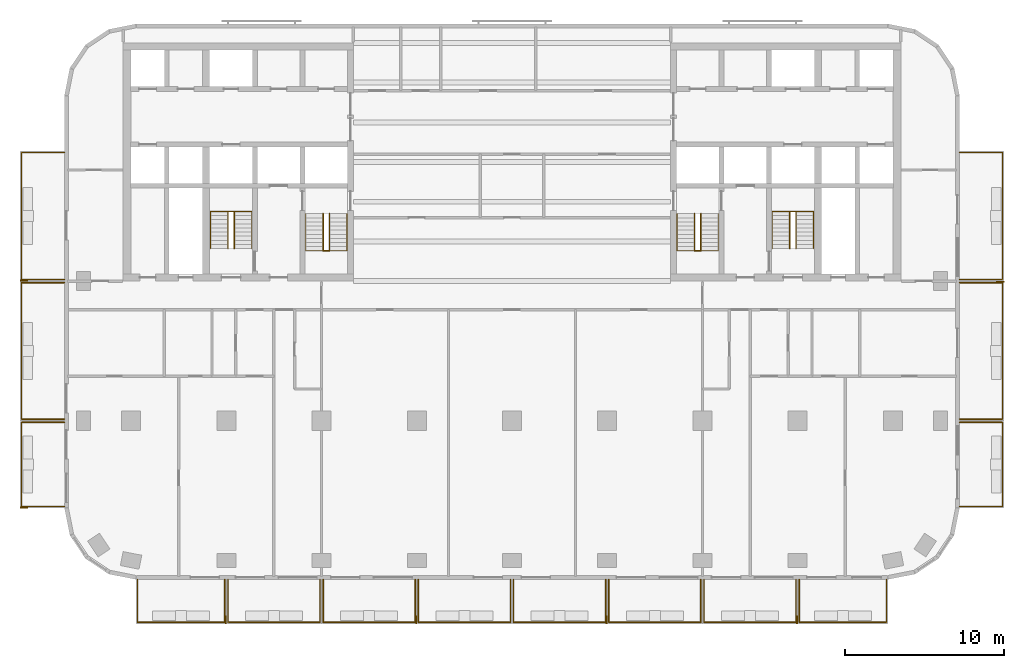
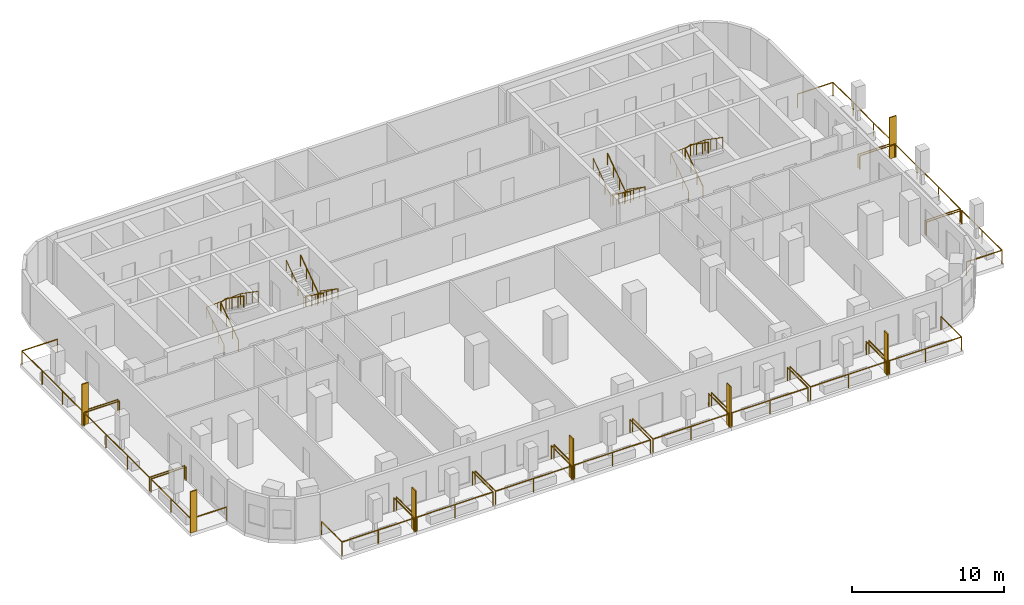
# One storey, part 9 of 11: 22 railings, 7 shading devices.
"""IFC4 building model written with IfcOpenShell, lengths in metres."""

import ifcopenshell
import ifcopenshell.guid

model = None  # the IFC model being written
_history = None  # IfcOwnerHistory: only IFC2X3 demands one
_inside = {}  # id of a spatial element -> (the spatial element, [elements in it])
_under = {}  # id of a project, library or spatial element -> (it, [spatial elements below it])
_declared = {}  # id of a project -> (the project, [libraries it declares])
_typed = {}  # id of a type object -> (the type object, [elements of that type])
_made_of = {}  # id of a material, layer set ... -> (it, [elements and type objects made of it])


def new_model(schema):
    """Start an empty IFC model of exactly this schema.

    Asked for "IFC4X3", IfcOpenShell would pick the latest addendum, in which some entities
    have other attributes; the version numbers below select the first issue.
    IFC2X3 requires an IfcOwnerHistory on every rooted entity: one is made here for all.
    """
    global model, _history
    if schema == "IFC4X3":
        model = ifcopenshell.file(schema_version=(4, 3, 0, 0))
    else:
        model = ifcopenshell.file(schema=schema)
    _inside.clear()
    _under.clear()
    _declared.clear()
    _typed.clear()
    _made_of.clear()
    _history = None
    if model.schema == "IFC2X3":
        org = make("IfcOrganization", Name="unknown")
        user = make(
            "IfcPersonAndOrganization",
            ThePerson=make("IfcPerson", FamilyName="unknown"),
            TheOrganization=org,
        )
        app = make(
            "IfcApplication",
            ApplicationDeveloper=org,
            Version="unknown",
            ApplicationFullName="unknown",
            ApplicationIdentifier="unknown",
        )
        _history = make(
            "IfcOwnerHistory",
            OwningUser=user,
            OwningApplication=app,
            ChangeAction="ADDED",
            CreationDate=0,
        )
    return model


def make(cls, **values):
    """One entity of the class cls with the attributes given. An attribute that is None is left unset."""
    return model.create_entity(
        cls, **{name: value for name, value in values.items() if value is not None}
    )


def rooted(cls, **values):
    """An entity with a GlobalId (a new one), such as an element, a storey or a relation."""
    return make(cls, GlobalId=ifcopenshell.guid.new(), OwnerHistory=_history, **values)


def si_unit(unit_type, name, prefix=None):
    """IfcSIUnit, for example si_unit("LENGTHUNIT", "METRE", prefix="MILLI")."""
    return make("IfcSIUnit", UnitType=unit_type, Prefix=prefix, Name=name)


def assignment(units):
    """IfcUnitAssignment: the units of a project."""
    return None if units is None else make("IfcUnitAssignment", Units=units)


def point(xyz):
    """IfcCartesianPoint."""
    return None if xyz is None else make("IfcCartesianPoint", Coordinates=xyz)


def direction(xyz):
    """IfcDirection."""
    return None if xyz is None else make("IfcDirection", DirectionRatios=xyz)


def frame(location, z_axis=None, x_axis=None):
    """IfcAxis2Placement3D, a coordinate frame: its origin and axes. An axis left out is left unset."""
    return make(
        "IfcAxis2Placement3D",
        Location=point(location),
        Axis=direction(z_axis),
        RefDirection=direction(x_axis),
    )


def frame_2d(location, x_axis=None):
    """IfcAxis2Placement2D, a coordinate frame in the plane: its origin and x axis."""
    return make(
        "IfcAxis2Placement2D", Location=point(location), RefDirection=direction(x_axis)
    )


def origin():
    """The frame at (0, 0, 0) with its axes left unset."""
    return frame((0.0, 0.0, 0.0))


def origin_2d():
    """The frame at (0, 0) in the plane with its x axis left unset."""
    return frame_2d((0.0, 0.0))


def place(relative_to, where):
    """IfcLocalPlacement: puts the frame where relative to a parent placement (None: the world)."""
    return make(
        "IfcLocalPlacement", PlacementRelTo=relative_to, RelativePlacement=where
    )


def context(
    kind, dimensions, precision=None, world=None, true_north=None, identifier=None
):
    """IfcGeometricRepresentationContext, for example the 3D "Model" context."""
    return make(
        "IfcGeometricRepresentationContext",
        ContextIdentifier=identifier,
        ContextType=kind,
        CoordinateSpaceDimension=dimensions,
        Precision=precision,
        WorldCoordinateSystem=world,
        TrueNorth=true_north,
    )


def subcontext(parent, identifier, kind, view, scale=None):
    """IfcGeometricRepresentationSubContext, for example "Body" below "Model"."""
    return make(
        "IfcGeometricRepresentationSubContext",
        ContextIdentifier=identifier,
        ContextType=kind,
        ParentContext=parent,
        TargetScale=scale,
        TargetView=view,
    )


def project(units=None, contexts=None):
    """IfcProject with its units and contexts."""
    return rooted(
        "IfcProject",
        Name="project",
        RepresentationContexts=contexts,
        UnitsInContext=assignment(units),
    )


def spatial(cls, under=None, at=None, **own):
    """A site, building, storey or space (cls), placed at a placement, below another one or the project."""
    s = rooted(cls, ObjectPlacement=at, **own)
    if under is not None:
        _under.setdefault(under.id(), (under, []))[1].append(s)
    return s


def profile(cls, at=None, kind="AREA", **sizes):
    """A parametric profile (cls). Its sizes go by their IFC names, for example OverallWidth=200.0."""
    return make(cls, ProfileType=kind, Position=at, **sizes)


def rectangle(**sizes):
    """IfcRectangleProfileDef."""
    return profile("IfcRectangleProfileDef", **sizes)


def circle(**sizes):
    """IfcCircleProfileDef."""
    return profile("IfcCircleProfileDef", **sizes)


def extrude(swept, where, along, depth):
    """IfcExtrudedAreaSolid: the profile swept, set in the frame where, extruded along a direction by depth."""
    return make(
        "IfcExtrudedAreaSolid",
        SweptArea=swept,
        Position=where,
        ExtrudedDirection=direction(along),
        Depth=depth,
    )


def shape(context_of_items, identifier, shape_type, items):
    """IfcShapeRepresentation: the items that make up one representation, for example the "Body"."""
    return make(
        "IfcShapeRepresentation",
        ContextOfItems=context_of_items,
        RepresentationIdentifier=identifier,
        RepresentationType=shape_type,
        Items=items,
    )


def material(Name=None, Category=None):
    """IfcMaterial."""
    return make("IfcMaterial", Name=Name, Category=Category)


def layer(
    of_material, thickness, ventilated=None, Name=None, Category=None, Priority=None
):
    """IfcMaterialLayer: one layer of a wall or slab, of a material (None: an air gap)."""
    return make(
        "IfcMaterialLayer",
        Material=of_material,
        LayerThickness=thickness,
        IsVentilated=ventilated,
        Name=Name,
        Category=Category,
        Priority=Priority,
    )


def layer_set(layers, Name=None):
    """IfcMaterialLayerSet."""
    return make("IfcMaterialLayerSet", MaterialLayers=layers, LayerSetName=Name)


def made_of(thing, what):
    """Note that an element or type object is made of a material, layer set ...; save() writes the relation."""
    if what is not None:
        _made_of.setdefault(what.id(), (what, []))[1].append(thing)
    return thing


def type_object(cls, material=None, **own):
    """A type object (cls), such as IfcWallType, which elements share."""
    return made_of(rooted(cls, **own), material)


def element(
    cls,
    number,
    at=None,
    inside=None,
    cuts=None,
    type_object=None,
    material=None,
    context=None,
    identifier="Body",
    shape_type=None,
    held_by="IfcProductDefinitionShape",
    body=None,
    shapes=None,
    **own,
):
    """One element of the class cls, such as IfcWall. Its Tag is "e" and its number.

    at: its placement. inside: the storey or other place that contains it. cuts: it is an
    opening in that element (IfcRelVoidsElement). A single representation is given by context,
    identifier, shape_type and body (its items); several are given by shapes. held_by: the class
    of the entity that holds the representations. save() writes the other relations.
    """
    e = rooted(cls, Tag="e%d" % number, ObjectPlacement=at, **own)
    if body is not None:
        shapes = [shape(context, identifier, shape_type, body)]
    if shapes is not None:
        e.Representation = make(held_by, Representations=shapes)
    if inside is not None:
        _inside.setdefault(inside.id(), (inside, []))[1].append(e)
    if cuts is not None:
        rooted(
            "IfcRelVoidsElement", RelatingBuildingElement=cuts, RelatedOpeningElement=e
        )
    if type_object is not None:
        _typed.setdefault(type_object.id(), (type_object, []))[1].append(e)
    return made_of(e, material)


def aggregate(whole, parts):
    """IfcRelAggregates: a whole, such as a stair, and the parts it consists of."""
    return rooted("IfcRelAggregates", RelatingObject=whole, RelatedObjects=parts)


def save(model, path):
    """Write the relations noted so far, then the file.

    IfcRelAggregates (storeys below a building ...), IfcRelContainedInSpatialStructure (elements
    in a storey), IfcRelDefinesByType, IfcRelAssociatesMaterial and IfcRelDeclares: one each for
    every whole, place, type object, material and project.
    """
    for whole, parts in _under.values():
        aggregate(whole, parts)
    for where, things in _inside.values():
        rooted(
            "IfcRelContainedInSpatialStructure",
            RelatedElements=things,
            RelatingStructure=where,
        )
    for kind, things in _typed.values():
        rooted("IfcRelDefinesByType", RelatedObjects=things, RelatingType=kind)
    for what, things in _made_of.values():
        rooted("IfcRelAssociatesMaterial", RelatedObjects=things, RelatingMaterial=what)
    for by, libraries in _declared.values():
        rooted("IfcRelDeclares", RelatingContext=by, RelatedDefinitions=libraries)
    model.write(path)


model = new_model("IFC4")

# Units and contexts
model_context = context("Model", 3, precision=1e-05, world=origin(), true_north=direction((0.0, 1.0)))
body_context = subcontext(model_context, "Body", "Model", "MODEL_VIEW")
ifc_project = project(units=[si_unit("LENGTHUNIT", "METRE"), si_unit("AREAUNIT", "SQUARE_METRE"), si_unit("VOLUMEUNIT", "CUBIC_METRE"), si_unit("PLANEANGLEUNIT", "RADIAN"), si_unit("MASSUNIT", "GRAM", prefix="KILO")], contexts=[model_context])

# Site, building, storey
site_placement = place(None, origin())
site = spatial("IfcSite", under=ifc_project, at=site_placement, CompositionType="ELEMENT")
building_placement = place(site_placement, origin())
building = spatial("IfcBuilding", under=site, at=building_placement, Name="Torana Hotel and Residences", CompositionType="ELEMENT")
storey_placement = place(building_placement, frame((0.0, 0.0, 148.800048828125)))
storey = spatial("IfcBuildingStorey", under=building, at=storey_placement, Name="L38", CompositionType="ELEMENT", Elevation=148.800048828125)

# Shading devices
ifc_material_1 = material(Name="Black powder coated aluminium", Category="aluminium")
ifc_layer = layer(ifc_material_1, 0.080078125)
ifc_layer_set = layer_set([ifc_layer], Name="FN1 VERTICAL FIN 500x80")
shading_device_type = type_object("IfcShadingDeviceType", Name="FN1 VERTICAL FIN 500x80", PredefinedType="USERDEFINED", material=ifc_layer_set)
for number, where, z_axis, x_axis, name in (
    (1, (-18.0400390625, -36.35009765625, 0.0), (0.0, 0.0, 1.0), (-1.0, 0.0, 0.0), "Fin 01"),
    (2, (-6.0400390625, -36.35009765625, 0.0), (0.0, 0.0, 1.0), (-1.0, 0.0, 0.0), "Fin 03"),
    (3, (5.9599609375, -36.35009765625, 0.0), (0.0, 0.0, 1.0), (-1.0, 0.0, 0.0), "Fin 05"),
    (4, (17.9599609375, -36.35009765625, 0.0), (0.0, 0.0, 1.0), (-1.0, 0.0, 0.0), "Fin 07"),
    (5, (-30.75, -29.260009765625, 0.0), (0.0, 0.0, 1.0), (0.0, 1.0, 0.0), "Fin 09"),
    (6, (-30.75, -14.9599609375, 0.0), (0.0, 0.0, 1.0), (0.0, 1.0, 0.0), "Fin 11"),
    (7, (30.75, -15.0400390625, 0.0), (0.0, 0.0, 1.0), (0.0, -1.0, 0.0), "Fin 13"),
):
    element("IfcShadingDevice", number, at=place(storey_placement, frame(where, z_axis=z_axis, x_axis=x_axis)), inside=storey, type_object=shading_device_type, Name=name, ObjectType="FIN", PredefinedType="USERDEFINED", context=body_context, shape_type="SweptSolid", body=[
        extrude(rectangle(XDim=0.080078125, YDim=0.5, at=origin_2d()), origin(), (0.0, 0.0, 1.0), 3.320068359375),
    ])

# Railings
ifc_material_2 = material(Name="Laminated glass balustrade with black handrail", Category="glass")
railing_type_1 = type_object("IfcRailingType", Name="GR1 BALCONY GUARD 1100 GLASS", PredefinedType="GUARDRAIL", material=ifc_material_2)
railing_1_placement = place(storey_placement, frame((-18.10009765625, -33.800048828125, 0.0)))
element("IfcRailing", 8, at=railing_1_placement, inside=storey, type_object=railing_type_1, Name="Balcony guard 01", PredefinedType="GUARDRAIL", context=body_context, shape_type="SweptSolid", body=[
    extrude(circle(Radius=0.02392578125, at=origin_2d()), frame((0.0, 0.0, 1.076171875), z_axis=(0.0, -1.0, 0.0), x_axis=(1.0, 0.0, 0.0)), (0.0, 0.0, 1.0), 2.699951171875),
    extrude(circle(Radius=0.02392578125, at=origin_2d()), frame((0.0, -2.699951171875, 1.076171875), z_axis=(-1.0, 0.0, 0.0), x_axis=(0.0, -1.0, 0.0)), (0.0, 0.0, 1.0), 5.5),
    extrude(circle(Radius=0.02392578125, at=origin_2d()), frame((-5.5, -2.699951171875, 1.076171875), z_axis=(0.0, 1.0, 0.0), x_axis=(-1.0, 0.0, 0.0)), (0.0, 0.0, 1.0), 2.699951171875),
    extrude(circle(Radius=0.02099609375, at=origin_2d()), origin(), (0.0, 0.0, 1.0), 1.052001953125),
    extrude(circle(Radius=0.02099609375, at=origin_2d()), frame((0.0, -2.699951171875, 0.0)), (0.0, 0.0, 1.0), 1.052001953125),
    extrude(circle(Radius=0.02099609375, at=origin_2d()), frame((-2.75, -2.699951171875, 0.0)), (0.0, 0.0, 1.0), 1.052001953125),
    extrude(circle(Radius=0.02099609375, at=origin_2d()), frame((-5.5, -2.699951171875, 0.0)), (0.0, 0.0, 1.0), 1.052001953125),
    extrude(circle(Radius=0.02099609375, at=origin_2d()), frame((-5.5, 0.0, 0.0)), (0.0, 0.0, 1.0), 1.052001953125),
])
for number, where, name in (
    (9, (-12.10009765625, -33.800048828125, 0.0), "Balcony guard 02"),
    (10, (-6.10009765625, -33.800048828125, 0.0), "Balcony guard 03"),
    (11, (-0.10009765625, -33.800048828125, 0.0), "Balcony guard 04"),
    (12, (5.89990234375, -33.800048828125, 0.0), "Balcony guard 05"),
    (13, (11.89990234375, -33.800048828125, 0.0), "Balcony guard 06"),
    (14, (17.89990234375, -33.800048828125, 0.0), "Balcony guard 07"),
):
    element("IfcRailing", number, at=place(storey_placement, frame(where)), inside=storey, type_object=railing_type_1, Name=name, PredefinedType="GUARDRAIL", context=body_context, shape_type="SweptSolid", body=[
        extrude(circle(Radius=0.02392578125, at=origin_2d()), frame((0.0, 0.0, 1.076171875), z_axis=(0.0, -1.0, 0.0), x_axis=(1.0, 0.0, 0.0)), (0.0, 0.0, 1.0), 2.699951171875),
        extrude(circle(Radius=0.02392578125, at=origin_2d()), frame((0.0, -2.699951171875, 1.076171875), z_axis=(-1.0, 0.0, 0.0), x_axis=(0.0, -1.0, 0.0)), (0.0, 0.0, 1.0), 5.7998046875),
        extrude(circle(Radius=0.02392578125, at=origin_2d()), frame((-5.7998046875, -2.699951171875, 1.076171875), z_axis=(0.0, 1.0, 0.0), x_axis=(-1.0, 0.0, 0.0)), (0.0, 0.0, 1.0), 2.699951171875),
        extrude(circle(Radius=0.02099609375, at=origin_2d()), origin(), (0.0, 0.0, 1.0), 1.052001953125),
        extrude(circle(Radius=0.02099609375, at=origin_2d()), frame((0.0, -2.699951171875, 0.0)), (0.0, 0.0, 1.0), 1.052001953125),
        extrude(circle(Radius=0.02099609375, at=origin_2d()), frame((-2.89990234375, -2.699951171875, 0.0)), (0.0, 0.0, 1.0), 1.052001953125),
        extrude(circle(Radius=0.02099609375, at=origin_2d()), frame((-5.7998046875, -2.699951171875, 0.0)), (0.0, 0.0, 1.0), 1.052001953125),
        extrude(circle(Radius=0.02099609375, at=origin_2d()), frame((-5.7998046875, 0.0, 0.0)), (0.0, 0.0, 1.0), 1.052001953125),
    ])
railing_2_placement = place(storey_placement, frame((23.60009765625, -33.800048828125, 0.0)))
element("IfcRailing", 15, at=railing_2_placement, inside=storey, type_object=railing_type_1, Name="Balcony guard 08", PredefinedType="GUARDRAIL", context=body_context, shape_type="SweptSolid", body=[
    extrude(circle(Radius=0.02392578125, at=origin_2d()), frame((0.0, 0.0, 1.076171875), z_axis=(0.0, -1.0, 0.0), x_axis=(1.0, 0.0, 0.0)), (0.0, 0.0, 1.0), 2.699951171875),
    extrude(circle(Radius=0.02392578125, at=origin_2d()), frame((0.0, -2.699951171875, 1.076171875), z_axis=(-1.0, 0.0, 0.0), x_axis=(0.0, -1.0, 0.0)), (0.0, 0.0, 1.0), 5.5),
    extrude(circle(Radius=0.02392578125, at=origin_2d()), frame((-5.5, -2.699951171875, 1.076171875), z_axis=(0.0, 1.0, 0.0), x_axis=(-1.0, 0.0, 0.0)), (0.0, 0.0, 1.0), 2.699951171875),
    extrude(circle(Radius=0.02099609375, at=origin_2d()), origin(), (0.0, 0.0, 1.0), 1.052001953125),
    extrude(circle(Radius=0.02099609375, at=origin_2d()), frame((0.0, -2.699951171875, 0.0)), (0.0, 0.0, 1.0), 1.052001953125),
    extrude(circle(Radius=0.02099609375, at=origin_2d()), frame((-2.75, -2.699951171875, 0.0)), (0.0, 0.0, 1.0), 1.052001953125),
    extrude(circle(Radius=0.02099609375, at=origin_2d()), frame((-5.5, -2.699951171875, 0.0)), (0.0, 0.0, 1.0), 1.052001953125),
    extrude(circle(Radius=0.02099609375, at=origin_2d()), frame((-5.5, 0.0, 0.0)), (0.0, 0.0, 1.0), 1.052001953125),
])
railing_3_placement = place(storey_placement, frame((-28.199951171875, -29.199951171875, 0.0)))
element("IfcRailing", 16, at=railing_3_placement, inside=storey, type_object=railing_type_1, Name="Balcony guard 09", PredefinedType="GUARDRAIL", context=body_context, shape_type="SweptSolid", body=[
    extrude(circle(Radius=0.02392578125, at=origin_2d()), frame((0.0, 0.0, 1.076171875), z_axis=(-1.0, 0.0, 0.0), x_axis=(0.0, -1.0, 0.0)), (0.0, 0.0, 1.0), 2.699951171875),
    extrude(circle(Radius=0.02392578125, at=origin_2d()), frame((-2.699951171875, 0.0, 1.076171875), z_axis=(0.0, 1.0, 0.0), x_axis=(-1.0, 0.0, 0.0)), (0.0, 0.0, 1.0), 5.300048828125),
    extrude(circle(Radius=0.02392578125, at=origin_2d()), frame((-2.699951171875, 5.300048828125, 1.076171875), z_axis=(1.0, 0.0, 0.0), x_axis=(0.0, 1.0, 0.0)), (0.0, 0.0, 1.0), 2.699951171875),
    extrude(circle(Radius=0.02099609375, at=origin_2d()), origin(), (0.0, 0.0, 1.0), 1.052001953125),
    extrude(circle(Radius=0.02099609375, at=origin_2d()), frame((-2.699951171875, 0.0, 0.0)), (0.0, 0.0, 1.0), 1.052001953125),
    extrude(circle(Radius=0.02099609375, at=origin_2d()), frame((-2.699951171875, 2.64990234375, 0.0)), (0.0, 0.0, 1.0), 1.052001953125),
    extrude(circle(Radius=0.02099609375, at=origin_2d()), frame((-2.699951171875, 5.300048828125, 0.0)), (0.0, 0.0, 1.0), 1.052001953125),
    extrude(circle(Radius=0.02099609375, at=origin_2d()), frame((0.0, 5.300048828125, 0.0)), (0.0, 0.0, 1.0), 1.052001953125),
])
railing_4_placement = place(storey_placement, frame((-28.199951171875, -23.699951171875, 0.0)))
element("IfcRailing", 17, at=railing_4_placement, inside=storey, type_object=railing_type_1, Name="Balcony guard 10", PredefinedType="GUARDRAIL", context=body_context, shape_type="SweptSolid", body=[
    extrude(circle(Radius=0.02392578125, at=origin_2d()), frame((0.0, 0.0, 1.076171875), z_axis=(-1.0, 0.0, 0.0), x_axis=(0.0, -1.0, 0.0)), (0.0, 0.0, 1.0), 2.699951171875),
    extrude(circle(Radius=0.02392578125, at=origin_2d()), frame((-2.699951171875, 0.0, 1.076171875), z_axis=(0.0, 1.0, 0.0), x_axis=(-1.0, 0.0, 0.0)), (0.0, 0.0, 1.0), 8.599853515625),
    extrude(circle(Radius=0.02392578125, at=origin_2d()), frame((-2.699951171875, 8.599853515625, 1.076171875), z_axis=(1.0, 0.0, 0.0), x_axis=(0.0, 1.0, 0.0)), (0.0, 0.0, 1.0), 2.699951171875),
    extrude(circle(Radius=0.02099609375, at=origin_2d()), origin(), (0.0, 0.0, 1.0), 1.052001953125),
    extrude(circle(Radius=0.02099609375, at=origin_2d()), frame((-2.699951171875, 0.0, 0.0)), (0.0, 0.0, 1.0), 1.052001953125),
    extrude(circle(Radius=0.02099609375, at=origin_2d()), frame((-2.699951171875, 2.86669921875, 0.0)), (0.0, 0.0, 1.0), 1.052001953125),
    extrude(circle(Radius=0.02099609375, at=origin_2d()), frame((-2.699951171875, 5.733154296875, 0.0)), (0.0, 0.0, 1.0), 1.052001953125),
    extrude(circle(Radius=0.02099609375, at=origin_2d()), frame((-2.699951171875, 8.599853515625, 0.0)), (0.0, 0.0, 1.0), 1.052001953125),
    extrude(circle(Radius=0.02099609375, at=origin_2d()), frame((0.0, 8.599853515625, 0.0)), (0.0, 0.0, 1.0), 1.052001953125),
])
railing_5_placement = place(storey_placement, frame((-28.199951171875, -14.89990234375, 0.0)))
element("IfcRailing", 18, at=railing_5_placement, inside=storey, type_object=railing_type_1, Name="Balcony guard 11", PredefinedType="GUARDRAIL", context=body_context, shape_type="SweptSolid", body=[
    extrude(circle(Radius=0.02392578125, at=origin_2d()), frame((0.0, 0.0, 1.076171875), z_axis=(-1.0, 0.0, 0.0), x_axis=(0.0, -1.0, 0.0)), (0.0, 0.0, 1.0), 2.699951171875),
    extrude(circle(Radius=0.02392578125, at=origin_2d()), frame((-2.699951171875, 0.0, 1.076171875), z_axis=(0.0, 1.0, 0.0), x_axis=(-1.0, 0.0, 0.0)), (0.0, 0.0, 1.0), 8.0),
    extrude(circle(Radius=0.02392578125, at=origin_2d()), frame((-2.699951171875, 8.0, 1.076171875), z_axis=(1.0, 0.0, 0.0), x_axis=(0.0, 1.0, 0.0)), (0.0, 0.0, 1.0), 2.699951171875),
    extrude(circle(Radius=0.02099609375, at=origin_2d()), origin(), (0.0, 0.0, 1.0), 1.052001953125),
    extrude(circle(Radius=0.02099609375, at=origin_2d()), frame((-2.699951171875, 0.0, 0.0)), (0.0, 0.0, 1.0), 1.052001953125),
    extrude(circle(Radius=0.02099609375, at=origin_2d()), frame((-2.699951171875, 2.666748046875, 0.0)), (0.0, 0.0, 1.0), 1.052001953125),
    extrude(circle(Radius=0.02099609375, at=origin_2d()), frame((-2.699951171875, 5.333251953125, 0.0)), (0.0, 0.0, 1.0), 1.052001953125),
    extrude(circle(Radius=0.02099609375, at=origin_2d()), frame((-2.699951171875, 8.0, 0.0)), (0.0, 0.0, 1.0), 1.052001953125),
    extrude(circle(Radius=0.02099609375, at=origin_2d()), frame((0.0, 8.0, 0.0)), (0.0, 0.0, 1.0), 1.052001953125),
])
railing_6_placement = place(storey_placement, frame((28.199951171875, -23.89990234375, 0.0)))
element("IfcRailing", 19, at=railing_6_placement, inside=storey, type_object=railing_type_1, Name="Balcony guard 12", PredefinedType="GUARDRAIL", context=body_context, shape_type="SweptSolid", body=[
    extrude(circle(Radius=0.02392578125, at=origin_2d()), frame((0.0, 0.0, 1.076171875), z_axis=(1.0, 0.0, 0.0), x_axis=(0.0, 1.0, 0.0)), (0.0, 0.0, 1.0), 2.699951171875),
    extrude(circle(Radius=0.02392578125, at=origin_2d()), frame((2.699951171875, 0.0, 1.076171875), z_axis=(0.0, -1.0, 0.0), x_axis=(1.0, 0.0, 0.0)), (0.0, 0.0, 1.0), 5.300048828125),
    extrude(circle(Radius=0.02392578125, at=origin_2d()), frame((2.699951171875, -5.300048828125, 1.076171875), z_axis=(-1.0, 0.0, 0.0), x_axis=(0.0, -1.0, 0.0)), (0.0, 0.0, 1.0), 2.699951171875),
    extrude(circle(Radius=0.02099609375, at=origin_2d()), origin(), (0.0, 0.0, 1.0), 1.052001953125),
    extrude(circle(Radius=0.02099609375, at=origin_2d()), frame((2.699951171875, 0.0, 0.0)), (0.0, 0.0, 1.0), 1.052001953125),
    extrude(circle(Radius=0.02099609375, at=origin_2d()), frame((2.699951171875, -2.64990234375, 0.0)), (0.0, 0.0, 1.0), 1.052001953125),
    extrude(circle(Radius=0.02099609375, at=origin_2d()), frame((2.699951171875, -5.300048828125, 0.0)), (0.0, 0.0, 1.0), 1.052001953125),
    extrude(circle(Radius=0.02099609375, at=origin_2d()), frame((0.0, -5.300048828125, 0.0)), (0.0, 0.0, 1.0), 1.052001953125),
])
railing_7_placement = place(storey_placement, frame((28.199951171875, -15.10009765625, 0.0)))
element("IfcRailing", 20, at=railing_7_placement, inside=storey, type_object=railing_type_1, Name="Balcony guard 13", PredefinedType="GUARDRAIL", context=body_context, shape_type="SweptSolid", body=[
    extrude(circle(Radius=0.02392578125, at=origin_2d()), frame((0.0, 0.0, 1.076171875), z_axis=(1.0, 0.0, 0.0), x_axis=(0.0, 1.0, 0.0)), (0.0, 0.0, 1.0), 2.699951171875),
    extrude(circle(Radius=0.02392578125, at=origin_2d()), frame((2.699951171875, 0.0, 1.076171875), z_axis=(0.0, -1.0, 0.0), x_axis=(1.0, 0.0, 0.0)), (0.0, 0.0, 1.0), 8.599853515625),
    extrude(circle(Radius=0.02392578125, at=origin_2d()), frame((2.699951171875, -8.599853515625, 1.076171875), z_axis=(-1.0, 0.0, 0.0), x_axis=(0.0, -1.0, 0.0)), (0.0, 0.0, 1.0), 2.699951171875),
    extrude(circle(Radius=0.02099609375, at=origin_2d()), origin(), (0.0, 0.0, 1.0), 1.052001953125),
    extrude(circle(Radius=0.02099609375, at=origin_2d()), frame((2.699951171875, 0.0, 0.0)), (0.0, 0.0, 1.0), 1.052001953125),
    extrude(circle(Radius=0.02099609375, at=origin_2d()), frame((2.699951171875, -2.86669921875, 0.0)), (0.0, 0.0, 1.0), 1.052001953125),
    extrude(circle(Radius=0.02099609375, at=origin_2d()), frame((2.699951171875, -5.733154296875, 0.0)), (0.0, 0.0, 1.0), 1.052001953125),
    extrude(circle(Radius=0.02099609375, at=origin_2d()), frame((2.699951171875, -8.599853515625, 0.0)), (0.0, 0.0, 1.0), 1.052001953125),
    extrude(circle(Radius=0.02099609375, at=origin_2d()), frame((0.0, -8.599853515625, 0.0)), (0.0, 0.0, 1.0), 1.052001953125),
])
railing_8_placement = place(storey_placement, frame((28.199951171875, -6.89990234375, 0.0)))
element("IfcRailing", 21, at=railing_8_placement, inside=storey, type_object=railing_type_1, Name="Balcony guard 14", PredefinedType="GUARDRAIL", context=body_context, shape_type="SweptSolid", body=[
    extrude(circle(Radius=0.02392578125, at=origin_2d()), frame((0.0, 0.0, 1.076171875), z_axis=(1.0, 0.0, 0.0), x_axis=(0.0, 1.0, 0.0)), (0.0, 0.0, 1.0), 2.699951171875),
    extrude(circle(Radius=0.02392578125, at=origin_2d()), frame((2.699951171875, 0.0, 1.076171875), z_axis=(0.0, -1.0, 0.0), x_axis=(1.0, 0.0, 0.0)), (0.0, 0.0, 1.0), 8.0),
    extrude(circle(Radius=0.02392578125, at=origin_2d()), frame((2.699951171875, -8.0, 1.076171875), z_axis=(-1.0, 0.0, 0.0), x_axis=(0.0, -1.0, 0.0)), (0.0, 0.0, 1.0), 2.699951171875),
    extrude(circle(Radius=0.02099609375, at=origin_2d()), origin(), (0.0, 0.0, 1.0), 1.052001953125),
    extrude(circle(Radius=0.02099609375, at=origin_2d()), frame((2.699951171875, 0.0, 0.0)), (0.0, 0.0, 1.0), 1.052001953125),
    extrude(circle(Radius=0.02099609375, at=origin_2d()), frame((2.699951171875, -2.666748046875, 0.0)), (0.0, 0.0, 1.0), 1.052001953125),
    extrude(circle(Radius=0.02099609375, at=origin_2d()), frame((2.699951171875, -5.333251953125, 0.0)), (0.0, 0.0, 1.0), 1.052001953125),
    extrude(circle(Radius=0.02099609375, at=origin_2d()), frame((2.699951171875, -8.0, 0.0)), (0.0, 0.0, 1.0), 1.052001953125),
    extrude(circle(Radius=0.02099609375, at=origin_2d()), frame((0.0, -8.0, 0.0)), (0.0, 0.0, 1.0), 1.052001953125),
])
ifc_material_3 = material(Name="Stainless steel 316", Category="steel")
railing_type_2 = type_object("IfcRailingType", Name="STAIR HANDRAIL HR1 900", PredefinedType="HANDRAIL", material=ifc_material_3)
railing_9_placement = place(storey_placement, frame((-10.39990234375, -10.75, 0.179931640625)))
element("IfcRailing", 22, at=railing_9_placement, inside=storey, type_object=railing_type_2, Name="Handrail ST1 L38 O1", PredefinedType="HANDRAIL", context=body_context, shape_type="SweptSolid", body=[
    extrude(circle(Radius=0.02392578125, at=origin_2d()), frame((0.0, 0.0, 0.8759765625), z_axis=(0.0, -0.822182927502, 0.569223360136), x_axis=(1.0, 0.0, 0.0)), (0.0, 0.0, 1.0), 2.84619140625),
    extrude(circle(Radius=0.02392578125, at=origin_2d()), frame((0.0, -2.340087890625, 2.49609375), z_axis=(-0.997614115953, 0.0, 0.069036770278), x_axis=(0.0, -1.0, 0.0)), (0.0, 0.0, 1.0), 2.606201171875),
    extrude(circle(Radius=0.02392578125, at=origin_2d()), frame((-2.60009765625, -2.340087890625, 2.67578125), z_axis=(0.0, 0.822223072051, 0.569165371211), x_axis=(-1.0, 0.0, 0.0)), (0.0, 0.0, 1.0), 2.845947265625),
    extrude(circle(Radius=0.02099609375, at=origin_2d()), origin(), (0.0, 0.0, 1.0), 0.851806640625),
    extrude(circle(Radius=0.02099609375, at=origin_2d()), frame((0.0, -0.780029296875, 0.5400390625)), (0.0, 0.0, 1.0), 0.851806640625),
    extrude(circle(Radius=0.02099609375, at=origin_2d()), frame((0.0, -1.56005859375, 1.080078125)), (0.0, 0.0, 1.0), 0.851806640625),
    extrude(circle(Radius=0.02099609375, at=origin_2d()), frame((0.0, -2.340087890625, 1.6201171875)), (0.0, 0.0, 1.0), 0.851806640625),
    extrude(circle(Radius=0.02099609375, at=origin_2d()), frame((-0.86669921875, -2.340087890625, 1.68017578125)), (0.0, 0.0, 1.0), 0.851806640625),
    extrude(circle(Radius=0.02099609375, at=origin_2d()), frame((-1.7333984375, -2.340087890625, 1.739990234375)), (0.0, 0.0, 1.0), 0.851806640625),
    extrude(circle(Radius=0.02099609375, at=origin_2d()), frame((-2.60009765625, -2.340087890625, 1.800048828125)), (0.0, 0.0, 1.0), 0.851806640625),
    extrude(circle(Radius=0.02099609375, at=origin_2d()), frame((-2.60009765625, -1.56005859375, 2.340087890625)), (0.0, 0.0, 1.0), 0.851806640625),
    extrude(circle(Radius=0.02099609375, at=origin_2d()), frame((-2.60009765625, -0.780029296875, 2.8798828125)), (0.0, 0.0, 1.0), 0.851806640625),
    extrude(circle(Radius=0.02099609375, at=origin_2d()), frame((-2.60009765625, 0.0, 3.419921875)), (0.0, 0.0, 1.0), 0.851806640625),
])
railing_10_placement = place(storey_placement, frame((-11.5, -10.75, 0.179931640625)))
element("IfcRailing", 23, at=railing_10_placement, inside=storey, type_object=railing_type_2, Name="Handrail ST1 L38 I1", PredefinedType="HANDRAIL", context=body_context, shape_type="SweptSolid", body=[
    extrude(circle(Radius=0.02392578125, at=origin_2d()), frame((0.0, 0.0, 0.8759765625), z_axis=(0.0, -0.822182927502, 0.569223360136), x_axis=(1.0, 0.0, 0.0)), (0.0, 0.0, 1.0), 2.84619140625),
    extrude(circle(Radius=0.02392578125, at=origin_2d()), frame((0.0, -2.340087890625, 2.49609375), z_axis=(-0.911942338396, 0.0, 0.410318378143), x_axis=(0.0, -1.0, 0.0)), (0.0, 0.0, 1.0), 0.4384765625),
    extrude(circle(Radius=0.02392578125, at=origin_2d()), frame((-0.39990234375, -2.340087890625, 2.67578125), z_axis=(0.0, 0.822223072051, 0.569165371211), x_axis=(-1.0, 0.0, 0.0)), (0.0, 0.0, 1.0), 2.845947265625),
    extrude(circle(Radius=0.02099609375, at=origin_2d()), origin(), (0.0, 0.0, 1.0), 0.851806640625),
    extrude(circle(Radius=0.02099609375, at=origin_2d()), frame((0.0, -0.780029296875, 0.5400390625)), (0.0, 0.0, 1.0), 0.851806640625),
    extrude(circle(Radius=0.02099609375, at=origin_2d()), frame((0.0, -1.56005859375, 1.080078125)), (0.0, 0.0, 1.0), 0.851806640625),
    extrude(circle(Radius=0.02099609375, at=origin_2d()), frame((0.0, -2.340087890625, 1.6201171875)), (0.0, 0.0, 1.0), 0.851806640625),
    extrude(circle(Radius=0.02099609375, at=origin_2d()), frame((-0.39990234375, -2.340087890625, 1.800048828125)), (0.0, 0.0, 1.0), 0.851806640625),
    extrude(circle(Radius=0.02099609375, at=origin_2d()), frame((-0.39990234375, -1.56005859375, 2.340087890625)), (0.0, 0.0, 1.0), 0.851806640625),
    extrude(circle(Radius=0.02099609375, at=origin_2d()), frame((-0.39990234375, -0.780029296875, 2.8798828125)), (0.0, 0.0, 1.0), 0.851806640625),
    extrude(circle(Radius=0.02099609375, at=origin_2d()), frame((-0.39990234375, 0.0, 3.419921875)), (0.0, 0.0, 1.0), 0.851806640625),
])
railing_11_placement = place(storey_placement, frame((-19.0, -12.949951171875, 0.179931640625)))
element("IfcRailing", 24, at=railing_11_placement, inside=storey, type_object=railing_type_2, Name="Handrail ST2 L38 O1", PredefinedType="HANDRAIL", context=body_context, shape_type="SweptSolid", body=[
    extrude(circle(Radius=0.02392578125, at=origin_2d()), frame((0.0, 0.0, 0.8759765625), z_axis=(0.0, 0.822155131156, 0.569263506923), x_axis=(-1.0, 0.0, 0.0)), (0.0, 0.0, 1.0), 2.845947265625),
    extrude(circle(Radius=0.02392578125, at=origin_2d()), frame((0.0, 2.33984375, 2.49609375), z_axis=(0.997614115953, 0.0, 0.069036770278), x_axis=(0.0, 1.0, 0.0)), (0.0, 0.0, 1.0), 2.606201171875),
    extrude(circle(Radius=0.02392578125, at=origin_2d()), frame((2.60009765625, 2.33984375, 2.67578125), z_axis=(0.0, -0.822195280011, 0.569205517829), x_axis=(1.0, 0.0, 0.0)), (0.0, 0.0, 1.0), 2.845947265625),
    extrude(circle(Radius=0.02099609375, at=origin_2d()), origin(), (0.0, 0.0, 1.0), 0.851806640625),
    extrude(circle(Radius=0.02099609375, at=origin_2d()), frame((0.0, 0.780029296875, 0.5400390625)), (0.0, 0.0, 1.0), 0.851806640625),
    extrude(circle(Radius=0.02099609375, at=origin_2d()), frame((0.0, 1.559814453125, 1.080078125)), (0.0, 0.0, 1.0), 0.851806640625),
    extrude(circle(Radius=0.02099609375, at=origin_2d()), frame((0.0, 2.33984375, 1.6201171875)), (0.0, 0.0, 1.0), 0.851806640625),
    extrude(circle(Radius=0.02099609375, at=origin_2d()), frame((0.86669921875, 2.33984375, 1.68017578125)), (0.0, 0.0, 1.0), 0.851806640625),
    extrude(circle(Radius=0.02099609375, at=origin_2d()), frame((1.7333984375, 2.33984375, 1.739990234375)), (0.0, 0.0, 1.0), 0.851806640625),
    extrude(circle(Radius=0.02099609375, at=origin_2d()), frame((2.60009765625, 2.33984375, 1.800048828125)), (0.0, 0.0, 1.0), 0.851806640625),
    extrude(circle(Radius=0.02099609375, at=origin_2d()), frame((2.60009765625, 1.559814453125, 2.340087890625)), (0.0, 0.0, 1.0), 0.851806640625),
    extrude(circle(Radius=0.02099609375, at=origin_2d()), frame((2.60009765625, 0.780029296875, 2.8798828125)), (0.0, 0.0, 1.0), 0.851806640625),
    extrude(circle(Radius=0.02099609375, at=origin_2d()), frame((2.60009765625, 0.0, 3.419921875)), (0.0, 0.0, 1.0), 0.851806640625),
])
railing_12_placement = place(storey_placement, frame((-17.89990234375, -12.949951171875, 0.179931640625)))
element("IfcRailing", 25, at=railing_12_placement, inside=storey, type_object=railing_type_2, Name="Handrail ST2 L38 I1", PredefinedType="HANDRAIL", context=body_context, shape_type="SweptSolid", body=[
    extrude(circle(Radius=0.02392578125, at=origin_2d()), frame((0.0, 0.0, 0.8759765625), z_axis=(0.0, 0.822155131156, 0.569263506923), x_axis=(-1.0, 0.0, 0.0)), (0.0, 0.0, 1.0), 2.845947265625),
    extrude(circle(Radius=0.02392578125, at=origin_2d()), frame((0.0, 2.33984375, 2.49609375), z_axis=(0.911942338396, 0.0, 0.410318378143), x_axis=(0.0, 1.0, 0.0)), (0.0, 0.0, 1.0), 0.4384765625),
    extrude(circle(Radius=0.02392578125, at=origin_2d()), frame((0.39990234375, 2.33984375, 2.67578125), z_axis=(0.0, -0.822195280011, 0.569205517829), x_axis=(1.0, 0.0, 0.0)), (0.0, 0.0, 1.0), 2.845947265625),
    extrude(circle(Radius=0.02099609375, at=origin_2d()), origin(), (0.0, 0.0, 1.0), 0.851806640625),
    extrude(circle(Radius=0.02099609375, at=origin_2d()), frame((0.0, 0.780029296875, 0.5400390625)), (0.0, 0.0, 1.0), 0.851806640625),
    extrude(circle(Radius=0.02099609375, at=origin_2d()), frame((0.0, 1.559814453125, 1.080078125)), (0.0, 0.0, 1.0), 0.851806640625),
    extrude(circle(Radius=0.02099609375, at=origin_2d()), frame((0.0, 2.33984375, 1.6201171875)), (0.0, 0.0, 1.0), 0.851806640625),
    extrude(circle(Radius=0.02099609375, at=origin_2d()), frame((0.39990234375, 2.33984375, 1.800048828125)), (0.0, 0.0, 1.0), 0.851806640625),
    extrude(circle(Radius=0.02099609375, at=origin_2d()), frame((0.39990234375, 1.559814453125, 2.340087890625)), (0.0, 0.0, 1.0), 0.851806640625),
    extrude(circle(Radius=0.02099609375, at=origin_2d()), frame((0.39990234375, 0.780029296875, 2.8798828125)), (0.0, 0.0, 1.0), 0.851806640625),
    extrude(circle(Radius=0.02099609375, at=origin_2d()), frame((0.39990234375, 0.0, 3.419921875)), (0.0, 0.0, 1.0), 0.851806640625),
])
railing_13_placement = place(storey_placement, frame((13.0, -10.75, 0.179931640625)))
element("IfcRailing", 26, at=railing_13_placement, inside=storey, type_object=railing_type_2, Name="Handrail ST3 L38 O1", PredefinedType="HANDRAIL", context=body_context, shape_type="SweptSolid", body=[
    extrude(circle(Radius=0.02392578125, at=origin_2d()), frame((0.0, 0.0, 0.8759765625), z_axis=(0.0, -0.822182927502, 0.569223360136), x_axis=(1.0, 0.0, 0.0)), (0.0, 0.0, 1.0), 2.84619140625),
    extrude(circle(Radius=0.02392578125, at=origin_2d()), frame((0.0, -2.340087890625, 2.49609375), z_axis=(-0.997614115953, 0.0, 0.069036770278), x_axis=(0.0, -1.0, 0.0)), (0.0, 0.0, 1.0), 2.606201171875),
    extrude(circle(Radius=0.02392578125, at=origin_2d()), frame((-2.60009765625, -2.340087890625, 2.67578125), z_axis=(0.0, 0.822223072051, 0.569165371211), x_axis=(-1.0, 0.0, 0.0)), (0.0, 0.0, 1.0), 2.845947265625),
    extrude(circle(Radius=0.02099609375, at=origin_2d()), origin(), (0.0, 0.0, 1.0), 0.851806640625),
    extrude(circle(Radius=0.02099609375, at=origin_2d()), frame((0.0, -0.780029296875, 0.5400390625)), (0.0, 0.0, 1.0), 0.851806640625),
    extrude(circle(Radius=0.02099609375, at=origin_2d()), frame((0.0, -1.56005859375, 1.080078125)), (0.0, 0.0, 1.0), 0.851806640625),
    extrude(circle(Radius=0.02099609375, at=origin_2d()), frame((0.0, -2.340087890625, 1.6201171875)), (0.0, 0.0, 1.0), 0.851806640625),
    extrude(circle(Radius=0.02099609375, at=origin_2d()), frame((-0.86669921875, -2.340087890625, 1.68017578125)), (0.0, 0.0, 1.0), 0.851806640625),
    extrude(circle(Radius=0.02099609375, at=origin_2d()), frame((-1.7333984375, -2.340087890625, 1.739990234375)), (0.0, 0.0, 1.0), 0.851806640625),
    extrude(circle(Radius=0.02099609375, at=origin_2d()), frame((-2.60009765625, -2.340087890625, 1.800048828125)), (0.0, 0.0, 1.0), 0.851806640625),
    extrude(circle(Radius=0.02099609375, at=origin_2d()), frame((-2.60009765625, -1.56005859375, 2.340087890625)), (0.0, 0.0, 1.0), 0.851806640625),
    extrude(circle(Radius=0.02099609375, at=origin_2d()), frame((-2.60009765625, -0.780029296875, 2.8798828125)), (0.0, 0.0, 1.0), 0.851806640625),
    extrude(circle(Radius=0.02099609375, at=origin_2d()), frame((-2.60009765625, 0.0, 3.419921875)), (0.0, 0.0, 1.0), 0.851806640625),
])
railing_14_placement = place(storey_placement, frame((11.89990234375, -10.75, 0.179931640625)))
element("IfcRailing", 27, at=railing_14_placement, inside=storey, type_object=railing_type_2, Name="Handrail ST3 L38 I1", PredefinedType="HANDRAIL", context=body_context, shape_type="SweptSolid", body=[
    extrude(circle(Radius=0.02392578125, at=origin_2d()), frame((0.0, 0.0, 0.8759765625), z_axis=(0.0, -0.822182927502, 0.569223360136), x_axis=(1.0, 0.0, 0.0)), (0.0, 0.0, 1.0), 2.84619140625),
    extrude(circle(Radius=0.02392578125, at=origin_2d()), frame((0.0, -2.340087890625, 2.49609375), z_axis=(-0.911942338396, 0.0, 0.410318378143), x_axis=(0.0, -1.0, 0.0)), (0.0, 0.0, 1.0), 0.4384765625),
    extrude(circle(Radius=0.02392578125, at=origin_2d()), frame((-0.39990234375, -2.340087890625, 2.67578125), z_axis=(0.0, 0.822223072051, 0.569165371211), x_axis=(-1.0, 0.0, 0.0)), (0.0, 0.0, 1.0), 2.845947265625),
    extrude(circle(Radius=0.02099609375, at=origin_2d()), origin(), (0.0, 0.0, 1.0), 0.851806640625),
    extrude(circle(Radius=0.02099609375, at=origin_2d()), frame((0.0, -0.780029296875, 0.5400390625)), (0.0, 0.0, 1.0), 0.851806640625),
    extrude(circle(Radius=0.02099609375, at=origin_2d()), frame((0.0, -1.56005859375, 1.080078125)), (0.0, 0.0, 1.0), 0.851806640625),
    extrude(circle(Radius=0.02099609375, at=origin_2d()), frame((0.0, -2.340087890625, 1.6201171875)), (0.0, 0.0, 1.0), 0.851806640625),
    extrude(circle(Radius=0.02099609375, at=origin_2d()), frame((-0.39990234375, -2.340087890625, 1.800048828125)), (0.0, 0.0, 1.0), 0.851806640625),
    extrude(circle(Radius=0.02099609375, at=origin_2d()), frame((-0.39990234375, -1.56005859375, 2.340087890625)), (0.0, 0.0, 1.0), 0.851806640625),
    extrude(circle(Radius=0.02099609375, at=origin_2d()), frame((-0.39990234375, -0.780029296875, 2.8798828125)), (0.0, 0.0, 1.0), 0.851806640625),
    extrude(circle(Radius=0.02099609375, at=origin_2d()), frame((-0.39990234375, 0.0, 3.419921875)), (0.0, 0.0, 1.0), 0.851806640625),
])
railing_15_placement = place(storey_placement, frame((16.39990234375, -12.949951171875, 0.179931640625)))
element("IfcRailing", 28, at=railing_15_placement, inside=storey, type_object=railing_type_2, Name="Handrail ST4 L38 O1", PredefinedType="HANDRAIL", context=body_context, shape_type="SweptSolid", body=[
    extrude(circle(Radius=0.02392578125, at=origin_2d()), frame((0.0, 0.0, 0.8759765625), z_axis=(0.0, 0.822155131156, 0.569263506923), x_axis=(-1.0, 0.0, 0.0)), (0.0, 0.0, 1.0), 2.845947265625),
    extrude(circle(Radius=0.02392578125, at=origin_2d()), frame((0.0, 2.33984375, 2.49609375), z_axis=(0.997614115953, 0.0, 0.069036770278), x_axis=(0.0, 1.0, 0.0)), (0.0, 0.0, 1.0), 2.606201171875),
    extrude(circle(Radius=0.02392578125, at=origin_2d()), frame((2.60009765625, 2.33984375, 2.67578125), z_axis=(0.0, -0.822195280011, 0.569205517829), x_axis=(1.0, 0.0, 0.0)), (0.0, 0.0, 1.0), 2.845947265625),
    extrude(circle(Radius=0.02099609375, at=origin_2d()), origin(), (0.0, 0.0, 1.0), 0.851806640625),
    extrude(circle(Radius=0.02099609375, at=origin_2d()), frame((0.0, 0.780029296875, 0.5400390625)), (0.0, 0.0, 1.0), 0.851806640625),
    extrude(circle(Radius=0.02099609375, at=origin_2d()), frame((0.0, 1.559814453125, 1.080078125)), (0.0, 0.0, 1.0), 0.851806640625),
    extrude(circle(Radius=0.02099609375, at=origin_2d()), frame((0.0, 2.33984375, 1.6201171875)), (0.0, 0.0, 1.0), 0.851806640625),
    extrude(circle(Radius=0.02099609375, at=origin_2d()), frame((0.86669921875, 2.33984375, 1.68017578125)), (0.0, 0.0, 1.0), 0.851806640625),
    extrude(circle(Radius=0.02099609375, at=origin_2d()), frame((1.7333984375, 2.33984375, 1.739990234375)), (0.0, 0.0, 1.0), 0.851806640625),
    extrude(circle(Radius=0.02099609375, at=origin_2d()), frame((2.60009765625, 2.33984375, 1.800048828125)), (0.0, 0.0, 1.0), 0.851806640625),
    extrude(circle(Radius=0.02099609375, at=origin_2d()), frame((2.60009765625, 1.559814453125, 2.340087890625)), (0.0, 0.0, 1.0), 0.851806640625),
    extrude(circle(Radius=0.02099609375, at=origin_2d()), frame((2.60009765625, 0.780029296875, 2.8798828125)), (0.0, 0.0, 1.0), 0.851806640625),
    extrude(circle(Radius=0.02099609375, at=origin_2d()), frame((2.60009765625, 0.0, 3.419921875)), (0.0, 0.0, 1.0), 0.851806640625),
])
railing_16_placement = place(storey_placement, frame((17.5, -12.949951171875, 0.179931640625)))
element("IfcRailing", 29, at=railing_16_placement, inside=storey, type_object=railing_type_2, Name="Handrail ST4 L38 I1", PredefinedType="HANDRAIL", context=body_context, shape_type="SweptSolid", body=[
    extrude(circle(Radius=0.02392578125, at=origin_2d()), frame((0.0, 0.0, 0.8759765625), z_axis=(0.0, 0.822155131156, 0.569263506923), x_axis=(-1.0, 0.0, 0.0)), (0.0, 0.0, 1.0), 2.845947265625),
    extrude(circle(Radius=0.02392578125, at=origin_2d()), frame((0.0, 2.33984375, 2.49609375), z_axis=(0.911942338396, 0.0, 0.410318378143), x_axis=(0.0, 1.0, 0.0)), (0.0, 0.0, 1.0), 0.4384765625),
    extrude(circle(Radius=0.02392578125, at=origin_2d()), frame((0.39990234375, 2.33984375, 2.67578125), z_axis=(0.0, -0.822195280011, 0.569205517829), x_axis=(1.0, 0.0, 0.0)), (0.0, 0.0, 1.0), 2.845947265625),
    extrude(circle(Radius=0.02099609375, at=origin_2d()), origin(), (0.0, 0.0, 1.0), 0.851806640625),
    extrude(circle(Radius=0.02099609375, at=origin_2d()), frame((0.0, 0.780029296875, 0.5400390625)), (0.0, 0.0, 1.0), 0.851806640625),
    extrude(circle(Radius=0.02099609375, at=origin_2d()), frame((0.0, 1.559814453125, 1.080078125)), (0.0, 0.0, 1.0), 0.851806640625),
    extrude(circle(Radius=0.02099609375, at=origin_2d()), frame((0.0, 2.33984375, 1.6201171875)), (0.0, 0.0, 1.0), 0.851806640625),
    extrude(circle(Radius=0.02099609375, at=origin_2d()), frame((0.39990234375, 2.33984375, 1.800048828125)), (0.0, 0.0, 1.0), 0.851806640625),
    extrude(circle(Radius=0.02099609375, at=origin_2d()), frame((0.39990234375, 1.559814453125, 2.340087890625)), (0.0, 0.0, 1.0), 0.851806640625),
    extrude(circle(Radius=0.02099609375, at=origin_2d()), frame((0.39990234375, 0.780029296875, 2.8798828125)), (0.0, 0.0, 1.0), 0.851806640625),
    extrude(circle(Radius=0.02099609375, at=origin_2d()), frame((0.39990234375, 0.0, 3.419921875)), (0.0, 0.0, 1.0), 0.851806640625),
])

save(model, "model.ifc")
